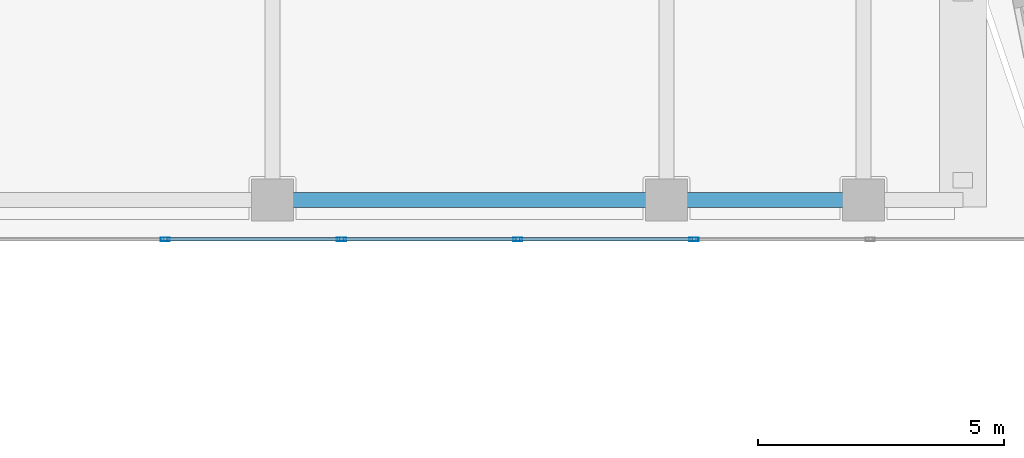
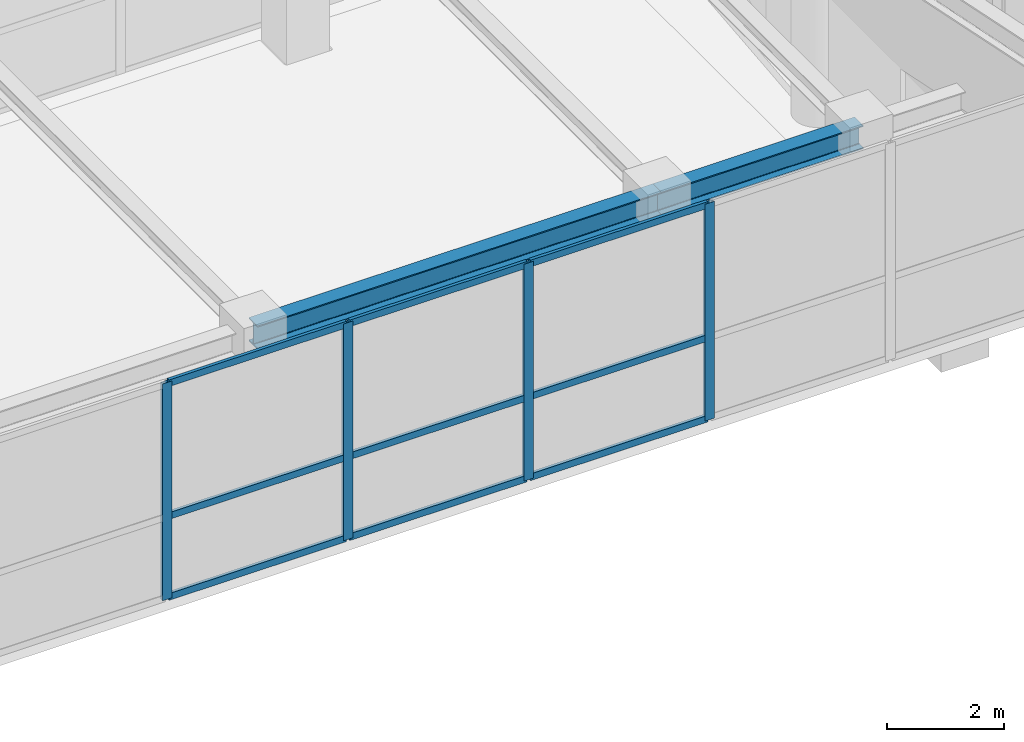
# One storey, part 21 of 48: 13 members, 2 beams, 1 element without a shape of its own.
"""IFC4 building model written with IfcOpenShell, lengths in metres."""

import ifcopenshell
import ifcopenshell.guid

model = None  # the IFC model being written
_history = None  # IfcOwnerHistory: only IFC2X3 demands one
_inside = {}  # id of a spatial element -> (the spatial element, [elements in it])
_under = {}  # id of a project, library or spatial element -> (it, [spatial elements below it])
_declared = {}  # id of a project -> (the project, [libraries it declares])
_typed = {}  # id of a type object -> (the type object, [elements of that type])
_made_of = {}  # id of a material, layer set ... -> (it, [elements and type objects made of it])


def new_model(schema):
    """Start an empty IFC model of exactly this schema.

    Asked for "IFC4X3", IfcOpenShell would pick the latest addendum, in which some entities
    have other attributes; the version numbers below select the first issue.
    IFC2X3 requires an IfcOwnerHistory on every rooted entity: one is made here for all.
    """
    global model, _history
    if schema == "IFC4X3":
        model = ifcopenshell.file(schema_version=(4, 3, 0, 0))
    else:
        model = ifcopenshell.file(schema=schema)
    _inside.clear()
    _under.clear()
    _declared.clear()
    _typed.clear()
    _made_of.clear()
    _history = None
    if model.schema == "IFC2X3":
        org = make("IfcOrganization", Name="unknown")
        user = make(
            "IfcPersonAndOrganization",
            ThePerson=make("IfcPerson", FamilyName="unknown"),
            TheOrganization=org,
        )
        app = make(
            "IfcApplication",
            ApplicationDeveloper=org,
            Version="unknown",
            ApplicationFullName="unknown",
            ApplicationIdentifier="unknown",
        )
        _history = make(
            "IfcOwnerHistory",
            OwningUser=user,
            OwningApplication=app,
            ChangeAction="ADDED",
            CreationDate=0,
        )
    return model


def make(cls, **values):
    """One entity of the class cls with the attributes given. An attribute that is None is left unset."""
    return model.create_entity(
        cls, **{name: value for name, value in values.items() if value is not None}
    )


def rooted(cls, **values):
    """An entity with a GlobalId (a new one), such as an element, a storey or a relation."""
    return make(cls, GlobalId=ifcopenshell.guid.new(), OwnerHistory=_history, **values)


def si_unit(unit_type, name, prefix=None):
    """IfcSIUnit, for example si_unit("LENGTHUNIT", "METRE", prefix="MILLI")."""
    return make("IfcSIUnit", UnitType=unit_type, Prefix=prefix, Name=name)


def derived_unit(unit_type, elements):
    """IfcDerivedUnit: a product of units, each with its exponent."""
    return make(
        "IfcDerivedUnit",
        Elements=[
            make("IfcDerivedUnitElement", Unit=unit, Exponent=power)
            for unit, power in elements
        ],
        UnitType=unit_type,
    )


def assignment(units):
    """IfcUnitAssignment: the units of a project."""
    return None if units is None else make("IfcUnitAssignment", Units=units)


def point(xyz):
    """IfcCartesianPoint."""
    return None if xyz is None else make("IfcCartesianPoint", Coordinates=xyz)


def direction(xyz):
    """IfcDirection."""
    return None if xyz is None else make("IfcDirection", DirectionRatios=xyz)


def frame(location, z_axis=None, x_axis=None):
    """IfcAxis2Placement3D, a coordinate frame: its origin and axes. An axis left out is left unset."""
    return make(
        "IfcAxis2Placement3D",
        Location=point(location),
        Axis=direction(z_axis),
        RefDirection=direction(x_axis),
    )


def frame_2d(location, x_axis=None):
    """IfcAxis2Placement2D, a coordinate frame in the plane: its origin and x axis."""
    return make(
        "IfcAxis2Placement2D", Location=point(location), RefDirection=direction(x_axis)
    )


def origin():
    """The frame at (0, 0, 0) with its axes left unset."""
    return frame((0.0, 0.0, 0.0))


def origin_2d():
    """The frame at (0, 0) in the plane with its x axis left unset."""
    return frame_2d((0.0, 0.0))


def place(relative_to, where):
    """IfcLocalPlacement: puts the frame where relative to a parent placement (None: the world)."""
    return make(
        "IfcLocalPlacement", PlacementRelTo=relative_to, RelativePlacement=where
    )


def context(
    kind, dimensions, precision=None, world=None, true_north=None, identifier=None
):
    """IfcGeometricRepresentationContext, for example the 3D "Model" context."""
    return make(
        "IfcGeometricRepresentationContext",
        ContextIdentifier=identifier,
        ContextType=kind,
        CoordinateSpaceDimension=dimensions,
        Precision=precision,
        WorldCoordinateSystem=world,
        TrueNorth=true_north,
    )


def subcontext(parent, identifier, kind, view, scale=None):
    """IfcGeometricRepresentationSubContext, for example "Body" below "Model"."""
    return make(
        "IfcGeometricRepresentationSubContext",
        ContextIdentifier=identifier,
        ContextType=kind,
        ParentContext=parent,
        TargetScale=scale,
        TargetView=view,
    )


def project(units=None, contexts=None):
    """IfcProject with its units and contexts."""
    return rooted(
        "IfcProject",
        Name="project",
        RepresentationContexts=contexts,
        UnitsInContext=assignment(units),
    )


def spatial(cls, under=None, at=None, **own):
    """A site, building, storey or space (cls), placed at a placement, below another one or the project."""
    s = rooted(cls, ObjectPlacement=at, **own)
    if under is not None:
        _under.setdefault(under.id(), (under, []))[1].append(s)
    return s


def profile(cls, at=None, kind="AREA", **sizes):
    """A parametric profile (cls). Its sizes go by their IFC names, for example OverallWidth=200.0."""
    return make(cls, ProfileType=kind, Position=at, **sizes)


def hollow_rectangle(**sizes):
    """IfcRectangleHollowProfileDef."""
    return profile("IfcRectangleHollowProfileDef", **sizes)


def i_section(**sizes):
    """IfcIShapeProfileDef."""
    return profile("IfcIShapeProfileDef", **sizes)


def extrude(swept, where, along, depth):
    """IfcExtrudedAreaSolid: the profile swept, set in the frame where, extruded along a direction by depth."""
    return make(
        "IfcExtrudedAreaSolid",
        SweptArea=swept,
        Position=where,
        ExtrudedDirection=direction(along),
        Depth=depth,
    )


def shape(context_of_items, identifier, shape_type, items):
    """IfcShapeRepresentation: the items that make up one representation, for example the "Body"."""
    return make(
        "IfcShapeRepresentation",
        ContextOfItems=context_of_items,
        RepresentationIdentifier=identifier,
        RepresentationType=shape_type,
        Items=items,
    )


def source(mapping_origin, context_of_items, identifier, shape_type, items):
    """IfcRepresentationMap: a shape defined once, which mapped items show again and again."""
    return make(
        "IfcRepresentationMap",
        MappingOrigin=mapping_origin,
        MappedRepresentation=shape(context_of_items, identifier, shape_type, items),
    )


def transform(
    local_origin,
    x_axis=None,
    y_axis=None,
    z_axis=None,
    scale=None,
    scale2=None,
    scale3=None,
    uniform=True,
):
    """IfcCartesianTransformationOperator3D, or its non-uniform kind. x_axis, y_axis, z_axis: its Axis1, 2, 3."""
    if uniform:
        return make(
            "IfcCartesianTransformationOperator3D",
            Axis1=direction(x_axis),
            Axis2=direction(y_axis),
            LocalOrigin=point(local_origin),
            Scale=scale,
            Axis3=direction(z_axis),
        )
    return make(
        "IfcCartesianTransformationOperator3DnonUniform",
        Axis1=direction(x_axis),
        Axis2=direction(y_axis),
        LocalOrigin=point(local_origin),
        Scale=scale,
        Axis3=direction(z_axis),
        Scale2=scale2,
        Scale3=scale3,
    )


def mapped(mapping_source, mapping_target):
    """IfcMappedItem: shows the shape of a source again, moved by a transform."""
    return make(
        "IfcMappedItem", MappingSource=mapping_source, MappingTarget=mapping_target
    )


def material(Name=None, Category=None):
    """IfcMaterial."""
    return make("IfcMaterial", Name=Name, Category=Category)


def layer(
    of_material, thickness, ventilated=None, Name=None, Category=None, Priority=None
):
    """IfcMaterialLayer: one layer of a wall or slab, of a material (None: an air gap)."""
    return make(
        "IfcMaterialLayer",
        Material=of_material,
        LayerThickness=thickness,
        IsVentilated=ventilated,
        Name=Name,
        Category=Category,
        Priority=Priority,
    )


def layer_set(layers, Name=None):
    """IfcMaterialLayerSet."""
    return make("IfcMaterialLayerSet", MaterialLayers=layers, LayerSetName=Name)


def material_profile(
    of_material, cross_section, Name=None, Category=None, Priority=None
):
    """IfcMaterialProfile: a cross section and its material."""
    return make(
        "IfcMaterialProfile",
        Name=Name,
        Material=of_material,
        Profile=cross_section,
        Priority=Priority,
        Category=Category,
    )


def profile_set(profiles, Name=None, composite=None):
    """IfcMaterialProfileSet."""
    return make(
        "IfcMaterialProfileSet",
        Name=Name,
        MaterialProfiles=profiles,
        CompositeProfile=composite,
    )


def made_of(thing, what):
    """Note that an element or type object is made of a material, layer set ...; save() writes the relation."""
    if what is not None:
        _made_of.setdefault(what.id(), (what, []))[1].append(thing)
    return thing


def type_object(cls, material=None, **own):
    """A type object (cls), such as IfcWallType, which elements share."""
    return made_of(rooted(cls, **own), material)


def element(
    cls,
    number,
    at=None,
    inside=None,
    cuts=None,
    type_object=None,
    material=None,
    context=None,
    identifier="Body",
    shape_type=None,
    held_by="IfcProductDefinitionShape",
    body=None,
    shapes=None,
    **own,
):
    """One element of the class cls, such as IfcWall. Its Tag is "e" and its number.

    at: its placement. inside: the storey or other place that contains it. cuts: it is an
    opening in that element (IfcRelVoidsElement). A single representation is given by context,
    identifier, shape_type and body (its items); several are given by shapes. held_by: the class
    of the entity that holds the representations. save() writes the other relations.
    """
    e = rooted(cls, Tag="e%d" % number, ObjectPlacement=at, **own)
    if body is not None:
        shapes = [shape(context, identifier, shape_type, body)]
    if shapes is not None:
        e.Representation = make(held_by, Representations=shapes)
    if inside is not None:
        _inside.setdefault(inside.id(), (inside, []))[1].append(e)
    if cuts is not None:
        rooted(
            "IfcRelVoidsElement", RelatingBuildingElement=cuts, RelatedOpeningElement=e
        )
    if type_object is not None:
        _typed.setdefault(type_object.id(), (type_object, []))[1].append(e)
    return made_of(e, material)


def aggregate(whole, parts):
    """IfcRelAggregates: a whole, such as a stair, and the parts it consists of."""
    return rooted("IfcRelAggregates", RelatingObject=whole, RelatedObjects=parts)


def save(model, path):
    """Write the relations noted so far, then the file.

    IfcRelAggregates (storeys below a building ...), IfcRelContainedInSpatialStructure (elements
    in a storey), IfcRelDefinesByType, IfcRelAssociatesMaterial and IfcRelDeclares: one each for
    every whole, place, type object, material and project.
    """
    for whole, parts in _under.values():
        aggregate(whole, parts)
    for where, things in _inside.values():
        rooted(
            "IfcRelContainedInSpatialStructure",
            RelatedElements=things,
            RelatingStructure=where,
        )
    for kind, things in _typed.values():
        rooted("IfcRelDefinesByType", RelatedObjects=things, RelatingType=kind)
    for what, things in _made_of.values():
        rooted("IfcRelAssociatesMaterial", RelatedObjects=things, RelatingMaterial=what)
    for by, libraries in _declared.values():
        rooted("IfcRelDeclares", RelatingContext=by, RelatedDefinitions=libraries)
    model.write(path)


model = new_model("IFC4")

# Units and contexts
model_context = context("Model", 3, precision=1e-05, world=origin(), true_north=direction((0.0, 1.0)))
body_context = subcontext(model_context, "Body", "Model", "MODEL_VIEW")
ifc_project = project(units=[si_unit("LENGTHUNIT", "METRE"), si_unit("AREAUNIT", "SQUARE_METRE"), si_unit("VOLUMEUNIT", "CUBIC_METRE"), si_unit("PLANEANGLEUNIT", "RADIAN"), si_unit("MASSUNIT", "GRAM", prefix="KILO"), derived_unit("THERMALTRANSMITTANCEUNIT", [(si_unit("POWERUNIT", "WATT"), 1), (si_unit("LENGTHUNIT", "METRE"), -2), (si_unit("THERMODYNAMICTEMPERATUREUNIT", "KELVIN"), -1)])], contexts=[model_context])

# Site, building, storey
site_placement = place(None, origin())
site = spatial("IfcSite", under=ifc_project, at=site_placement, CompositionType="ELEMENT")
building_placement = place(site_placement, origin())
building = spatial("IfcBuilding", under=site, at=building_placement, Name="Korsvarv Bourse and Concert Hall", CompositionType="ELEMENT")
storey_placement = place(building_placement, frame((0.0, 0.0, 4.800048828125)))
storey = spatial("IfcBuildingStorey", under=building, at=storey_placement, Name="L01", CompositionType="ELEMENT", Elevation=4.800048828125)

# Beams
ifc_material_1 = material(Name="Steel S355", Category="steel")
ifc_material_profile_1 = material_profile(ifc_material_1, i_section(OverallWidth=0.300048828125, OverallDepth=0.489990234375, WebThickness=0.011962890625, FlangeThickness=0.02294921875, FilletRadius=0.02392578125, at=origin_2d()), Name="HEA 500")
ifc_profile_set_1 = profile_set([ifc_material_profile_1], Name="Steel S355")
beam_type = type_object("IfcBeamType", Name="BM-HEA500", PredefinedType="BEAM", material=ifc_profile_set_1)
shared_shape_1 = source(origin(), body_context, "Body", "SweptSolid", [
    extrude(i_section(OverallWidth=0.300048828125, OverallDepth=0.489990234375, WebThickness=0.011962890625, FlangeThickness=0.02294921875, FilletRadius=0.02392578125, at=origin_2d()), origin(), (0.0, 0.0, 1.0), 8.0),
])
beam_1_placement = place(storey_placement, frame((75.5, 29.800048828125, 4.294921875), z_axis=(1.0, 0.0, 0.0), x_axis=(0.0, 1.0, 0.0)))
element("IfcBeam", 1, at=beam_1_placement, inside=storey, type_object=beam_type, Name="L01 beam B-10", PredefinedType="BEAM", context=body_context, shape_type="MappedRepresentation", body=[
    mapped(shared_shape_1, transform((0.0, 0.0, 0.0), scale=1.0)),
])
shared_shape_2 = source(origin(), body_context, "Body", "SweptSolid", [
    extrude(i_section(OverallWidth=0.300048828125, OverallDepth=0.489990234375, WebThickness=0.011962890625, FlangeThickness=0.02294921875, FilletRadius=0.02392578125, at=origin_2d()), origin(), (0.0, 0.0, 1.0), 4.0),
])
beam_2_placement = place(storey_placement, frame((83.5, 29.800048828125, 4.294921875), z_axis=(1.0, 0.0, 0.0), x_axis=(0.0, 1.0, 0.0)))
element("IfcBeam", 2, at=beam_2_placement, inside=storey, type_object=beam_type, Name="L01 beam B-10", PredefinedType="BEAM", context=body_context, shape_type="MappedRepresentation", body=[
    mapped(shared_shape_2, transform((0.0, 0.0, 0.0), scale=1.0)),
])

# Curtain wall, members
ifc_material_2 = material(Name="Anodised aluminium and triple low-E glazing", Category="glass")
ifc_layer = layer(ifc_material_2, 0.239990234375)
ifc_layer_set = layer_set([ifc_layer], Name="Anodised aluminium and triple low-E glazing")
curtain_wall_type = type_object("IfcCurtainWallType", Name="CW-SYS-5", PredefinedType="NOTDEFINED", material=ifc_layer_set)
curtain_wall_placement = place(storey_placement, origin())
curtain_wall = element("IfcCurtainWall", 3, at=curtain_wall_placement, inside=storey, type_object=curtain_wall_type, Name="L01 CW5 curtain wall CW-L01-LKS", PredefinedType="NOTDEFINED")
ifc_material_3 = material(Name="Extruded aluminium EN AW-6063 T66", Category="aluminium")
ifc_material_profile_2 = material_profile(ifc_material_3, hollow_rectangle(XDim=0.070068359375, YDim=0.18994140625, WallThickness=0.0048828125, at=origin_2d()), Name="ALU-M 70x190")
ifc_profile_set_2 = profile_set([ifc_material_profile_2], Name="Extruded aluminium EN AW-6063 T66")
member_type_1 = type_object("IfcMemberType", Name="CWM-190", PredefinedType="MULLION", material=ifc_profile_set_2)
shared_shape_3 = source(origin(), body_context, "Body", "SweptSolid", [
    extrude(hollow_rectangle(XDim=0.070068359375, YDim=0.18994140625, WallThickness=0.0048828125, at=origin_2d()), origin(), (0.0, 0.0, 1.0), 4.5400390625),
])
member_1_placement = place(storey_placement, frame((73.320068359375, 29.0, 0.0), z_axis=(0.0, 0.0, 1.0), x_axis=(0.0, 1.0, 0.0)))
member_1 = element("IfcMember", 4, at=member_1_placement, type_object=member_type_1, Name="CW5 mullion 3", PredefinedType="MULLION", context=body_context, shape_type="MappedRepresentation", body=[
    mapped(shared_shape_3, transform((0.0, 0.0, 0.0), scale=1.0)),
])
member_2_placement = place(storey_placement, frame((76.89990234375, 29.0, 0.0), z_axis=(0.0, 0.0, 1.0), x_axis=(0.0, 1.0, 0.0)))
member_2 = element("IfcMember", 5, at=member_2_placement, type_object=member_type_1, Name="CW5 mullion 4", PredefinedType="MULLION", context=body_context, shape_type="MappedRepresentation", body=[
    mapped(shared_shape_3, transform((0.0, 0.0, 0.0), scale=1.0)),
])
member_3_placement = place(storey_placement, frame((80.47998046875, 29.0, 0.0), z_axis=(0.0, 0.0, 1.0), x_axis=(0.0, 1.0, 0.0)))
member_3 = element("IfcMember", 6, at=member_3_placement, type_object=member_type_1, Name="CW5 mullion 5", PredefinedType="MULLION", context=body_context, shape_type="MappedRepresentation", body=[
    mapped(shared_shape_3, transform((0.0, 0.0, 0.0), scale=1.0)),
])
member_4_placement = place(storey_placement, frame((84.06005859375, 29.0, 0.0), z_axis=(0.0, 0.0, 1.0), x_axis=(0.0, 1.0, 0.0)))
member_4 = element("IfcMember", 7, at=member_4_placement, type_object=member_type_1, Name="CW5 mullion 6", PredefinedType="MULLION", context=body_context, shape_type="MappedRepresentation", body=[
    mapped(shared_shape_3, transform((0.0, 0.0, 0.0), scale=1.0)),
])
ifc_material_profile_3 = material_profile(ifc_material_3, hollow_rectangle(XDim=0.06494140625, YDim=0.139892578125, WallThickness=0.00390625, at=origin_2d()), Name="ALU-T 65x140")
ifc_profile_set_3 = profile_set([ifc_material_profile_3], Name="Extruded aluminium EN AW-6063 T66")
member_type_2 = type_object("IfcMemberType", Name="CWT-140", PredefinedType="USERDEFINED", material=ifc_profile_set_3)
shared_shape_4 = source(origin(), body_context, "Body", "SweptSolid", [
    extrude(hollow_rectangle(XDim=0.06494140625, YDim=0.139892578125, WallThickness=0.00390625, at=origin_2d()), origin(), (0.0, 0.0, 1.0), 3.510009765625),
])
member_5_placement = place(storey_placement, frame((73.35498046875, 29.0, 0.032470703125), z_axis=(1.0, 0.0, 0.0), x_axis=(0.0, 1.0, 0.0)))
member_5 = element("IfcMember", 8, at=member_5_placement, type_object=member_type_2, Name="CW5 transom 3.1", ObjectType="TRANSOM", PredefinedType="USERDEFINED", context=body_context, shape_type="MappedRepresentation", body=[
    mapped(shared_shape_4, transform((0.0, 0.0, 0.0), scale=1.0)),
])
member_6_placement = place(storey_placement, frame((73.35498046875, 29.0, 1.72509765625), z_axis=(1.0, 0.0, 0.0), x_axis=(0.0, 1.0, 0.0)))
member_6 = element("IfcMember", 9, at=member_6_placement, type_object=member_type_2, Name="CW5 transom 3.2", ObjectType="TRANSOM", PredefinedType="USERDEFINED", context=body_context, shape_type="MappedRepresentation", body=[
    mapped(shared_shape_4, transform((0.0, 0.0, 0.0), scale=1.0)),
])
member_7_placement = place(storey_placement, frame((73.35498046875, 29.0, 4.507568359375), z_axis=(1.0, 0.0, 0.0), x_axis=(0.0, 1.0, 0.0)))
member_7 = element("IfcMember", 10, at=member_7_placement, type_object=member_type_2, Name="CW5 transom 3.3", ObjectType="TRANSOM", PredefinedType="USERDEFINED", context=body_context, shape_type="MappedRepresentation", body=[
    mapped(shared_shape_4, transform((0.0, 0.0, 0.0), scale=1.0)),
])
member_8_placement = place(storey_placement, frame((76.93505859375, 29.0, 0.032470703125), z_axis=(1.0, 0.0, 0.0), x_axis=(0.0, 1.0, 0.0)))
member_8 = element("IfcMember", 11, at=member_8_placement, type_object=member_type_2, Name="CW5 transom 4.1", ObjectType="TRANSOM", PredefinedType="USERDEFINED", context=body_context, shape_type="MappedRepresentation", body=[
    mapped(shared_shape_4, transform((0.0, 0.0, 0.0), scale=1.0)),
])
member_9_placement = place(storey_placement, frame((76.93505859375, 29.0, 1.72509765625), z_axis=(1.0, 0.0, 0.0), x_axis=(0.0, 1.0, 0.0)))
member_9 = element("IfcMember", 12, at=member_9_placement, type_object=member_type_2, Name="CW5 transom 4.2", ObjectType="TRANSOM", PredefinedType="USERDEFINED", context=body_context, shape_type="MappedRepresentation", body=[
    mapped(shared_shape_4, transform((0.0, 0.0, 0.0), scale=1.0)),
])
member_10_placement = place(storey_placement, frame((76.93505859375, 29.0, 4.507568359375), z_axis=(1.0, 0.0, 0.0), x_axis=(0.0, 1.0, 0.0)))
member_10 = element("IfcMember", 13, at=member_10_placement, type_object=member_type_2, Name="CW5 transom 4.3", ObjectType="TRANSOM", PredefinedType="USERDEFINED", context=body_context, shape_type="MappedRepresentation", body=[
    mapped(shared_shape_4, transform((0.0, 0.0, 0.0), scale=1.0)),
])
member_11_placement = place(storey_placement, frame((80.514892578125, 29.0, 0.032470703125), z_axis=(1.0, 0.0, 0.0), x_axis=(0.0, 1.0, 0.0)))
member_11 = element("IfcMember", 14, at=member_11_placement, type_object=member_type_2, Name="CW5 transom 5.1", ObjectType="TRANSOM", PredefinedType="USERDEFINED", context=body_context, shape_type="MappedRepresentation", body=[
    mapped(shared_shape_4, transform((0.0, 0.0, 0.0), scale=1.0)),
])
member_12_placement = place(storey_placement, frame((80.514892578125, 29.0, 1.72509765625), z_axis=(1.0, 0.0, 0.0), x_axis=(0.0, 1.0, 0.0)))
member_12 = element("IfcMember", 15, at=member_12_placement, type_object=member_type_2, Name="CW5 transom 5.2", ObjectType="TRANSOM", PredefinedType="USERDEFINED", context=body_context, shape_type="MappedRepresentation", body=[
    mapped(shared_shape_4, transform((0.0, 0.0, 0.0), scale=1.0)),
])
member_13_placement = place(storey_placement, frame((80.514892578125, 29.0, 4.507568359375), z_axis=(1.0, 0.0, 0.0), x_axis=(0.0, 1.0, 0.0)))
member_13 = element("IfcMember", 16, at=member_13_placement, type_object=member_type_2, Name="CW5 transom 5.3", ObjectType="TRANSOM", PredefinedType="USERDEFINED", context=body_context, shape_type="MappedRepresentation", body=[
    mapped(shared_shape_4, transform((0.0, 0.0, 0.0), scale=1.0)),
])
aggregate(curtain_wall, [member_1, member_2, member_3, member_4, member_5, member_6, member_7, member_8, member_9, member_10, member_11, member_12, member_13])

save(model, "model.ifc")
